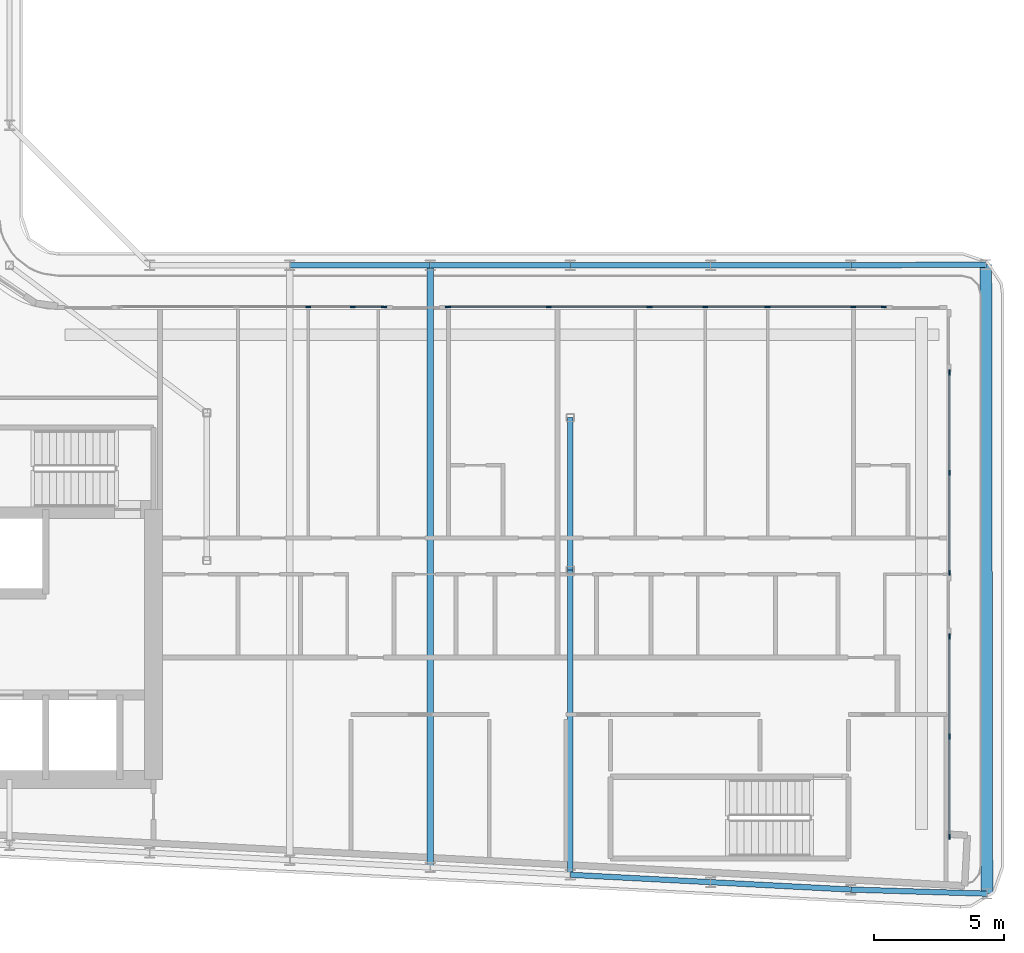
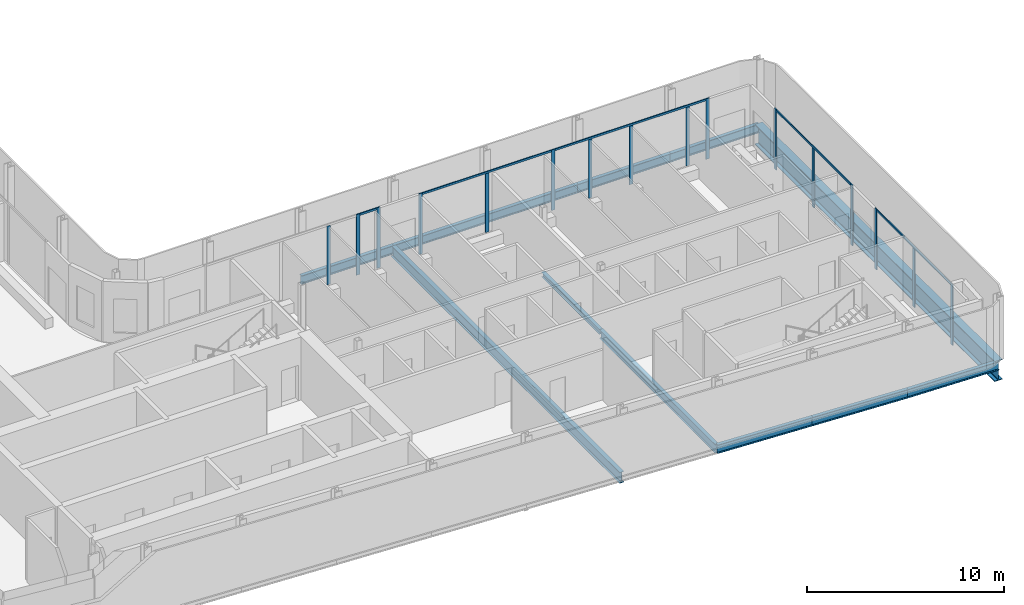
# One storey, part 5 of 23: 21 members, 12 beams, 6 elements without a shape of their own.
"""IFC4 building model written with IfcOpenShell, lengths in metres."""

from ifc_helpers import new_model, si_unit, direction, frame, origin, origin_2d, place, context, subcontext, project, spatial, rectangle, i_section, extrude, material, layer, layer_set, material_profile, profile_set, type_object, element, aggregate, save


model = new_model("IFC4")

# Units and contexts
model_context = context("Model", 3, precision=1e-05, world=origin(), true_north=direction((0.0, 1.0)))
body_context = subcontext(model_context, "Body", "Model", "MODEL_VIEW")
ifc_project = project(units=[si_unit("LENGTHUNIT", "METRE"), si_unit("AREAUNIT", "SQUARE_METRE"), si_unit("VOLUMEUNIT", "CUBIC_METRE"), si_unit("PLANEANGLEUNIT", "RADIAN"), si_unit("MASSUNIT", "GRAM", prefix="KILO")], contexts=[model_context])

# Site, building, storey
site_placement = place(None, origin())
site = spatial("IfcSite", under=ifc_project, at=site_placement, CompositionType="ELEMENT")
building_placement = place(site_placement, origin())
building = spatial("IfcBuilding", under=site, at=building_placement, Name="Kheshtan School and Residences Tower", CompositionType="ELEMENT")
storey_placement = place(building_placement, frame((0.0, 0.0, 243.5)))
storey = spatial("IfcBuildingStorey", under=building, at=storey_placement, Name="L57", CompositionType="ELEMENT", Elevation=243.5)

# Beams
ifc_material_1 = material(Name="Steel ASTM A992 Grade 50", Category="steel")
ifc_material_profile_1 = material_profile(ifc_material_1, i_section(OverallWidth=0.202880859375, OverallDepth=0.302978515625, WebThickness=0.007568359375, FlangeThickness=0.01318359375, FilletRadius=0.009033203125, at=origin_2d()), Name="W310x60")
ifc_profile_set_1 = profile_set([ifc_material_profile_1], Name="Steel ASTM A992 Grade 50")
beam_type_1 = type_object("IfcBeamType", Name="Beam FB1 W310x60 ASTM A992 Grade 50", PredefinedType="BEAM", material=ifc_profile_set_1)
beam_1_placement = place(storey_placement, frame((69.199951171875, 33.863037109375, -0.301513671875), z_axis=(0.0, 1.0, 0.0), x_axis=(-1.0, 0.0, 0.0)))
element("IfcBeam", 1, at=beam_1_placement, inside=storey, type_object=beam_type_1, Name="Floor beam IC", PredefinedType="BEAM", context=body_context, shape_type="SweptSolid", body=[
    extrude(i_section(OverallWidth=0.202880859375, OverallDepth=0.302978515625, WebThickness=0.007568359375, FlangeThickness=0.01318359375, FilletRadius=0.009033203125, at=origin_2d()), origin(), (0.0, 0.0, 1.0), 5.868896484375),
])
ifc_material_profile_2 = material_profile(ifc_material_1, i_section(OverallWidth=0.208984375, OverallDepth=0.532958984375, WebThickness=0.01025390625, FlangeThickness=0.015625, FilletRadius=0.013916015625, at=origin_2d()), Name="W530x92")
ifc_profile_set_2 = profile_set([ifc_material_profile_2], Name="Steel ASTM A992 Grade 50")
beam_type_2 = type_object("IfcBeamType", Name="Beam FB4 W530x92 ASTM A992 Grade 50", PredefinedType="BEAM", material=ifc_profile_set_2)
beam_2_placement = place(storey_placement, frame((69.199951171875, 22.126953125, -0.41650390625), z_axis=(0.0, 1.0, 0.0), x_axis=(-1.0, 0.0, 0.0)))
element("IfcBeam", 2, at=beam_2_placement, inside=storey, type_object=beam_type_2, Name="Floor beam C014", PredefinedType="BEAM", context=body_context, shape_type="SweptSolid", body=[
    extrude(i_section(OverallWidth=0.208984375, OverallDepth=0.532958984375, WebThickness=0.01025390625, FlangeThickness=0.015625, FilletRadius=0.013916015625, at=origin_2d()), origin(), (0.0, 0.0, 1.0), 11.736083984375),
])
ifc_material_profile_3 = material_profile(ifc_material_1, i_section(OverallWidth=0.2529296875, OverallDepth=0.677978515625, WebThickness=0.01171875, FlangeThickness=0.016357421875, FilletRadius=0.0146484375, at=origin_2d()), Name="W690x125")
ifc_profile_set_3 = profile_set([ifc_material_profile_3], Name="Steel ASTM A992 Grade 50")
beam_type_3 = type_object("IfcBeamType", Name="Beam FB6 W690x125 ASTM A992 Grade 50", PredefinedType="BEAM", material=ifc_profile_set_3)
beam_3_placement = place(storey_placement, frame((63.800048828125, 45.60009765625, -0.489013671875), z_axis=(0.0, -1.0, 0.0), x_axis=(1.0, 0.0, 0.0)))
element("IfcBeam", 3, at=beam_3_placement, inside=storey, type_object=beam_type_3, Name="Floor beam C063", PredefinedType="BEAM", context=body_context, shape_type="SweptSolid", body=[
    extrude(i_section(OverallWidth=0.2529296875, OverallDepth=0.677978515625, WebThickness=0.01171875, FlangeThickness=0.016357421875, FilletRadius=0.0146484375, at=origin_2d()), origin(), (0.0, 0.0, 1.0), 23.189208984375),
])
ifc_material_profile_4 = material_profile(ifc_material_1, i_section(OverallWidth=0.208984375, OverallDepth=0.532958984375, WebThickness=0.01025390625, FlangeThickness=0.015625, FilletRadius=0.013916015625, at=origin_2d()), Name="W530x92")
ifc_profile_set_4 = profile_set([ifc_material_profile_4], Name="Steel ASTM A992 Grade 50")
beam_type_4 = type_object("IfcBeamType", Name="Beam SP3 W530x92 ASTM A992 Grade 50", PredefinedType="BEAM", material=ifc_profile_set_4)
beam_4_placement = place(storey_placement, frame((58.39990234375, 45.60009765625, -0.41650390625), z_axis=(1.0, 0.0, 0.0), x_axis=(0.0, 1.0, 0.0)))
element("IfcBeam", 4, at=beam_4_placement, inside=storey, type_object=beam_type_4, Name="Spandrel beam C062-C063", PredefinedType="BEAM", context=body_context, shape_type="SweptSolid", body=[
    extrude(i_section(OverallWidth=0.208984375, OverallDepth=0.532958984375, WebThickness=0.01025390625, FlangeThickness=0.015625, FilletRadius=0.013916015625, at=origin_2d()), origin(), (0.0, 0.0, 1.0), 5.400146484375),
])
beam_5_placement = place(storey_placement, frame((63.800048828125, 45.60009765625, -0.41650390625), z_axis=(1.0, 0.0, 0.0), x_axis=(0.0, 1.0, 0.0)))
element("IfcBeam", 5, at=beam_5_placement, inside=storey, type_object=beam_type_4, Name="Spandrel beam C063-C064", PredefinedType="BEAM", context=body_context, shape_type="SweptSolid", body=[
    extrude(i_section(OverallWidth=0.208984375, OverallDepth=0.532958984375, WebThickness=0.01025390625, FlangeThickness=0.015625, FilletRadius=0.013916015625, at=origin_2d()), origin(), (0.0, 0.0, 1.0), 5.39990234375),
])
beam_6_placement = place(storey_placement, frame((69.199951171875, 45.60009765625, -0.41650390625), z_axis=(1.0, 0.0, 0.0), x_axis=(0.0, 1.0, 0.0)))
element("IfcBeam", 6, at=beam_6_placement, inside=storey, type_object=beam_type_4, Name="Spandrel beam C064-C065", PredefinedType="BEAM", context=body_context, shape_type="SweptSolid", body=[
    extrude(i_section(OverallWidth=0.208984375, OverallDepth=0.532958984375, WebThickness=0.01025390625, FlangeThickness=0.015625, FilletRadius=0.013916015625, at=origin_2d()), origin(), (0.0, 0.0, 1.0), 5.400146484375),
])
beam_7_placement = place(storey_placement, frame((74.60009765625, 45.60009765625, -0.41650390625), z_axis=(1.0, 0.0, 0.0), x_axis=(0.0, 1.0, 0.0)))
element("IfcBeam", 7, at=beam_7_placement, inside=storey, type_object=beam_type_4, Name="Spandrel beam C065-C066", PredefinedType="BEAM", context=body_context, shape_type="SweptSolid", body=[
    extrude(i_section(OverallWidth=0.208984375, OverallDepth=0.532958984375, WebThickness=0.01025390625, FlangeThickness=0.015625, FilletRadius=0.013916015625, at=origin_2d()), origin(), (0.0, 0.0, 1.0), 5.39990234375),
])
beam_8_placement = place(storey_placement, frame((80.0, 45.60009765625, -0.41650390625), z_axis=(0.999985687161, 0.005350277765, 0.0), x_axis=(-0.005350277765, 0.999985687161, 0.0)))
element("IfcBeam", 8, at=beam_8_placement, inside=storey, type_object=beam_type_4, Name="Spandrel beam C066-C076", PredefinedType="BEAM", context=body_context, shape_type="SweptSolid", body=[
    extrude(i_section(OverallWidth=0.208984375, OverallDepth=0.532958984375, WebThickness=0.01025390625, FlangeThickness=0.015625, FilletRadius=0.013916015625, at=origin_2d()), origin(), (0.0, 0.0, 1.0), 5.201904296875),
])
beam_9_placement = place(storey_placement, frame((85.243896484375, 21.39990234375, -0.41650390625), z_axis=(-0.999545226068, 0.030155282206, 0.0), x_axis=(-0.030155282206, -0.999545226068, 0.0)))
element("IfcBeam", 9, at=beam_9_placement, inside=storey, type_object=beam_type_4, Name="Spandrel beam C011-C012", PredefinedType="BEAM", context=body_context, shape_type="SweptSolid", body=[
    extrude(i_section(OverallWidth=0.208984375, OverallDepth=0.532958984375, WebThickness=0.01025390625, FlangeThickness=0.015625, FilletRadius=0.013916015625, at=origin_2d()), origin(), (0.0, 0.0, 1.0), 5.246337890625),
])
beam_10_placement = place(storey_placement, frame((80.0, 21.55810546875, -0.41650390625), z_axis=(-0.998610961136, 0.052689166816, 0.0), x_axis=(-0.052689166816, -0.998610961136, 0.0)))
element("IfcBeam", 10, at=beam_10_placement, inside=storey, type_object=beam_type_4, Name="Spandrel beam C012-C013", PredefinedType="BEAM", context=body_context, shape_type="SweptSolid", body=[
    extrude(i_section(OverallWidth=0.208984375, OverallDepth=0.532958984375, WebThickness=0.01025390625, FlangeThickness=0.015625, FilletRadius=0.013916015625, at=origin_2d()), origin(), (0.0, 0.0, 1.0), 5.407470703125),
])
beam_11_placement = place(storey_placement, frame((74.60009765625, 21.843017578125, -0.41650390625), z_axis=(-0.998620571751, 0.05250670125, 0.0), x_axis=(-0.05250670125, -0.998620571751, 0.0)))
element("IfcBeam", 11, at=beam_11_placement, inside=storey, type_object=beam_type_4, Name="Spandrel beam C013-C014", PredefinedType="BEAM", context=body_context, shape_type="SweptSolid", body=[
    extrude(i_section(OverallWidth=0.208984375, OverallDepth=0.532958984375, WebThickness=0.01025390625, FlangeThickness=0.015625, FilletRadius=0.013916015625, at=origin_2d()), origin(), (0.0, 0.0, 1.0), 5.40771484375),
])

# Curtain wall, members
ifc_material_2 = material(Name="Clear low-e glass in thermally broken aluminium frame", Category="aluminium")
ifc_layer = layer(ifc_material_2, 0.199951171875)
ifc_layer_set = layer_set([ifc_layer], Name="Curtain wall CW-L")
curtain_wall_type = type_object("IfcCurtainWallType", Name="Curtain wall CW-L", PredefinedType="NOTDEFINED", material=ifc_layer_set)
curtain_wall_1_placement = place(storey_placement, origin())
curtain_wall_1 = element("IfcCurtainWall", 12, at=curtain_wall_1_placement, inside=storey, type_object=curtain_wall_type, Name="Curtain wall CWL1228", PredefinedType="NOTDEFINED")
ifc_material_3 = material(Name="Thermally broken aluminium, dark bronze anodised", Category="aluminium")
ifc_material_profile_5 = material_profile(ifc_material_3, rectangle(XDim=0.06005859375, YDim=0.199951171875, at=origin_2d()), Name="CW-L mullion 60x200")
ifc_profile_set_5 = profile_set([ifc_material_profile_5], Name="Thermally broken aluminium, dark bronze anodised")
member_type_1 = type_object("IfcMemberType", Name="CW-L mullion 60x200", PredefinedType="MULLION", material=ifc_profile_set_5)
member_1_placement = place(storey_placement, frame((59.10009765625, 44.0, 0.0), z_axis=(0.0, 0.0, 1.0), x_axis=(0.0, 1.0, 0.0)))
member_1 = element("IfcMember", 13, at=member_1_placement, type_object=member_type_1, Name="CWL1228 mullion 3", PredefinedType="MULLION", context=body_context, shape_type="SweptSolid", body=[
    extrude(rectangle(XDim=0.06005859375, YDim=0.199951171875, at=origin_2d()), origin(), (0.0, 0.0, 1.0), 3.6298828125),
])
member_2_placement = place(storey_placement, frame((60.8232421875, 44.0, 0.0), z_axis=(0.0, 0.0, 1.0), x_axis=(0.0, 1.0, 0.0)))
member_2 = element("IfcMember", 14, at=member_2_placement, type_object=member_type_1, Name="CWL1228 mullion 4", PredefinedType="MULLION", context=body_context, shape_type="SweptSolid", body=[
    extrude(rectangle(XDim=0.06005859375, YDim=0.199951171875, at=origin_2d()), origin(), (0.0, 0.0, 1.0), 3.75),
])
aggregate(curtain_wall_1, [member_1, member_2])

# Curtain wall, member
curtain_wall_2_placement = place(storey_placement, origin())
curtain_wall_2 = element("IfcCurtainWall", 15, at=curtain_wall_2_placement, inside=storey, type_object=curtain_wall_type, Name="Curtain wall CWL12b", PredefinedType="NOTDEFINED")
member_3_placement = place(storey_placement, frame((62.0234375, 44.0, 0.0), z_axis=(0.0, 0.0, 1.0), x_axis=(0.0, 1.0, 0.0)))
member_3 = element("IfcMember", 16, at=member_3_placement, type_object=member_type_1, Name="CWL12b mullion 2", PredefinedType="MULLION", context=body_context, shape_type="SweptSolid", body=[
    extrude(rectangle(XDim=0.06005859375, YDim=0.199951171875, at=origin_2d()), origin(), (0.0, 0.0, 1.0), 3.75),
])

# Curtain wall, members
curtain_wall_3_placement = place(storey_placement, origin())
curtain_wall_3 = element("IfcCurtainWall", 17, at=curtain_wall_3_placement, inside=storey, type_object=curtain_wall_type, Name="Curtain wall CWL1229", PredefinedType="NOTDEFINED")
member_4_placement = place(storey_placement, frame((64.4833984375, 44.0, 0.0), z_axis=(0.0, 0.0, 1.0), x_axis=(0.0, 1.0, 0.0)))
member_4 = element("IfcMember", 18, at=member_4_placement, type_object=member_type_1, Name="CWL1229 mullion 1", PredefinedType="MULLION", context=body_context, shape_type="SweptSolid", body=[
    extrude(rectangle(XDim=0.06005859375, YDim=0.199951171875, at=origin_2d()), origin(), (0.0, 0.0, 1.0), 3.75),
])
member_5_placement = place(storey_placement, frame((68.364990234375, 44.0, 0.0), z_axis=(0.0, 0.0, 1.0), x_axis=(0.0, 1.0, 0.0)))
member_5 = element("IfcMember", 19, at=member_5_placement, type_object=member_type_1, Name="CWL1229 mullion 2", PredefinedType="MULLION", context=body_context, shape_type="SweptSolid", body=[
    extrude(rectangle(XDim=0.06005859375, YDim=0.199951171875, at=origin_2d()), origin(), (0.0, 0.0, 1.0), 3.6298828125),
])
member_6_placement = place(storey_placement, frame((72.24658203125, 44.0, 0.0), z_axis=(0.0, 0.0, 1.0), x_axis=(0.0, 1.0, 0.0)))
member_6 = element("IfcMember", 20, at=member_6_placement, type_object=member_type_1, Name="CWL1229 mullion 3", PredefinedType="MULLION", context=body_context, shape_type="SweptSolid", body=[
    extrude(rectangle(XDim=0.06005859375, YDim=0.199951171875, at=origin_2d()), origin(), (0.0, 0.0, 1.0), 3.75),
])

curtain_wall_4_placement = place(storey_placement, origin())
curtain_wall_4 = element("IfcCurtainWall", 21, at=curtain_wall_4_placement, inside=storey, type_object=curtain_wall_type, Name="Curtain wall CWL1230", PredefinedType="NOTDEFINED")
member_7_placement = place(storey_placement, frame((74.39990234375, 44.0, 0.0), z_axis=(0.0, 0.0, 1.0), x_axis=(0.0, 1.0, 0.0)))
member_7 = element("IfcMember", 22, at=member_7_placement, type_object=member_type_1, Name="CWL1230 mullion 2", PredefinedType="MULLION", context=body_context, shape_type="SweptSolid", body=[
    extrude(rectangle(XDim=0.06005859375, YDim=0.199951171875, at=origin_2d()), origin(), (0.0, 0.0, 1.0), 3.6298828125),
])
member_8_placement = place(storey_placement, frame((76.788330078125, 44.0, 0.0), z_axis=(0.0, 0.0, 1.0), x_axis=(0.0, 1.0, 0.0)))
member_8 = element("IfcMember", 23, at=member_8_placement, type_object=member_type_1, Name="CWL1230 mullion 3", PredefinedType="MULLION", context=body_context, shape_type="SweptSolid", body=[
    extrude(rectangle(XDim=0.06005859375, YDim=0.199951171875, at=origin_2d()), origin(), (0.0, 0.0, 1.0), 3.6298828125),
])
member_9_placement = place(storey_placement, frame((80.099853515625, 44.0, 0.0), z_axis=(0.0, 0.0, 1.0), x_axis=(0.0, 1.0, 0.0)))
member_9 = element("IfcMember", 24, at=member_9_placement, type_object=member_type_1, Name="CWL1230 mullion 4", PredefinedType="MULLION", context=body_context, shape_type="SweptSolid", body=[
    extrude(rectangle(XDim=0.06005859375, YDim=0.199951171875, at=origin_2d()), origin(), (0.0, 0.0, 1.0), 3.6298828125),
])
member_10_placement = place(storey_placement, frame((81.27001953125, 44.0, 0.0), z_axis=(0.0, 0.0, 1.0), x_axis=(0.0, 1.0, 0.0)))
member_10 = element("IfcMember", 25, at=member_10_placement, type_object=member_type_1, Name="CWL1230 mullion 5", PredefinedType="MULLION", context=body_context, shape_type="SweptSolid", body=[
    extrude(rectangle(XDim=0.06005859375, YDim=0.199951171875, at=origin_2d()), origin(), (0.0, 0.0, 1.0), 3.75),
])

curtain_wall_5_placement = place(storey_placement, origin())
curtain_wall_5 = element("IfcCurtainWall", 26, at=curtain_wall_5_placement, inside=storey, type_object=curtain_wall_type, Name="Curtain wall CWL13c", PredefinedType="NOTDEFINED")
member_11_placement = place(storey_placement, frame((83.800048828125, 41.469970703125, 0.0), z_axis=(0.0, 0.0, 1.0), x_axis=(1.0, 0.0, 0.0)))
member_11 = element("IfcMember", 27, at=member_11_placement, type_object=member_type_1, Name="CWL13c mullion 1", PredefinedType="MULLION", context=body_context, shape_type="SweptSolid", body=[
    extrude(rectangle(XDim=0.06005859375, YDim=0.199951171875, at=origin_2d()), origin(), (0.0, 0.0, 1.0), 3.75),
])
member_12_placement = place(storey_placement, frame((83.800048828125, 37.61669921875, 0.0), z_axis=(0.0, 0.0, 1.0), x_axis=(1.0, 0.0, 0.0)))
member_12 = element("IfcMember", 28, at=member_12_placement, type_object=member_type_1, Name="CWL13c mullion 2", PredefinedType="MULLION", context=body_context, shape_type="SweptSolid", body=[
    extrude(rectangle(XDim=0.06005859375, YDim=0.199951171875, at=origin_2d()), origin(), (0.0, 0.0, 1.0), 3.6298828125),
])
member_13_placement = place(storey_placement, frame((83.800048828125, 33.763427734375, 0.0), z_axis=(0.0, 0.0, 1.0), x_axis=(1.0, 0.0, 0.0)))
member_13 = element("IfcMember", 29, at=member_13_placement, type_object=member_type_1, Name="CWL13c mullion 3", PredefinedType="MULLION", context=body_context, shape_type="SweptSolid", body=[
    extrude(rectangle(XDim=0.06005859375, YDim=0.199951171875, at=origin_2d()), origin(), (0.0, 0.0, 1.0), 3.75),
])

curtain_wall_6_placement = place(storey_placement, origin())
curtain_wall_6 = element("IfcCurtainWall", 30, at=curtain_wall_6_placement, inside=storey, type_object=curtain_wall_type, Name="Curtain wall CWL13c", PredefinedType="NOTDEFINED")
member_14_placement = place(storey_placement, frame((83.800048828125, 31.303466796875, 0.0), z_axis=(0.0, 0.0, 1.0), x_axis=(1.0, 0.0, 0.0)))
member_14 = element("IfcMember", 31, at=member_14_placement, type_object=member_type_1, Name="CWL13c mullion 1", PredefinedType="MULLION", context=body_context, shape_type="SweptSolid", body=[
    extrude(rectangle(XDim=0.06005859375, YDim=0.199951171875, at=origin_2d()), origin(), (0.0, 0.0, 1.0), 3.75),
])
member_15_placement = place(storey_placement, frame((83.800048828125, 27.4501953125, 0.0), z_axis=(0.0, 0.0, 1.0), x_axis=(1.0, 0.0, 0.0)))
member_15 = element("IfcMember", 32, at=member_15_placement, type_object=member_type_1, Name="CWL13c mullion 2", PredefinedType="MULLION", context=body_context, shape_type="SweptSolid", body=[
    extrude(rectangle(XDim=0.06005859375, YDim=0.199951171875, at=origin_2d()), origin(), (0.0, 0.0, 1.0), 3.6298828125),
])
member_16_placement = place(storey_placement, frame((83.800048828125, 23.596923828125, 0.0), z_axis=(0.0, 0.0, 1.0), x_axis=(1.0, 0.0, 0.0)))
member_16 = element("IfcMember", 33, at=member_16_placement, type_object=member_type_1, Name="CWL13c mullion 3", PredefinedType="MULLION", context=body_context, shape_type="SweptSolid", body=[
    extrude(rectangle(XDim=0.06005859375, YDim=0.199951171875, at=origin_2d()), origin(), (0.0, 0.0, 1.0), 3.75),
])

# Member
ifc_material_profile_6 = material_profile(ifc_material_3, rectangle(XDim=0.06005859375, YDim=0.1201171875, at=origin_2d()), Name="CW-L transom 60x120")
ifc_profile_set_6 = profile_set([ifc_material_profile_6], Name="Thermally broken aluminium, dark bronze anodised")
member_type_2 = type_object("IfcMemberType", Name="CW-L transom 60x120", PredefinedType="USERDEFINED", material=ifc_profile_set_6)
member_17_placement = place(storey_placement, frame((60.853271484375, 44.0, 3.68994140625), z_axis=(1.0, 0.0, 0.0), x_axis=(0.0, 1.0, 0.0)))
member_17 = element("IfcMember", 34, at=member_17_placement, type_object=member_type_2, Name="CWL12b transom 1", ObjectType="TRANSOM", PredefinedType="USERDEFINED", context=body_context, shape_type="SweptSolid", body=[
    extrude(rectangle(XDim=0.06005859375, YDim=0.1201171875, at=origin_2d()), origin(), (0.0, 0.0, 1.0), 1.14013671875),
])

aggregate(curtain_wall_2, [member_3, member_17])

member_18_placement = place(storey_placement, frame((64.513427734375, 44.0, 3.68994140625), z_axis=(1.0, 0.0, 0.0), x_axis=(0.0, 1.0, 0.0)))
member_18 = element("IfcMember", 35, at=member_18_placement, type_object=member_type_2, Name="CWL1229 transom 1", ObjectType="TRANSOM", PredefinedType="USERDEFINED", context=body_context, shape_type="SweptSolid", body=[
    extrude(rectangle(XDim=0.06005859375, YDim=0.1201171875, at=origin_2d()), origin(), (0.0, 0.0, 1.0), 7.703125),
])

aggregate(curtain_wall_3, [member_4, member_5, member_6, member_18])

member_19_placement = place(storey_placement, frame((72.276611328125, 44.0, 3.68994140625), z_axis=(1.0, 0.0, 0.0), x_axis=(0.0, 1.0, 0.0)))
member_19 = element("IfcMember", 36, at=member_19_placement, type_object=member_type_2, Name="CWL1230 transom 1", ObjectType="TRANSOM", PredefinedType="USERDEFINED", context=body_context, shape_type="SweptSolid", body=[
    extrude(rectangle(XDim=0.06005859375, YDim=0.1201171875, at=origin_2d()), origin(), (0.0, 0.0, 1.0), 8.96337890625),
])

aggregate(curtain_wall_4, [member_7, member_8, member_9, member_10, member_19])

member_20_placement = place(storey_placement, frame((83.800048828125, 41.43994140625, 3.68994140625), z_axis=(0.0, -1.0, 0.0), x_axis=(1.0, 0.0, 0.0)))
member_20 = element("IfcMember", 37, at=member_20_placement, type_object=member_type_2, Name="CWL13c transom 1", ObjectType="TRANSOM", PredefinedType="USERDEFINED", context=body_context, shape_type="SweptSolid", body=[
    extrude(rectangle(XDim=0.06005859375, YDim=0.1201171875, at=origin_2d()), origin(), (0.0, 0.0, 1.0), 7.646484375),
])

aggregate(curtain_wall_5, [member_11, member_12, member_13, member_20])

member_21_placement = place(storey_placement, frame((83.800048828125, 31.2734375, 3.68994140625), z_axis=(0.0, -1.0, 0.0), x_axis=(1.0, 0.0, 0.0)))
member_21 = element("IfcMember", 38, at=member_21_placement, type_object=member_type_2, Name="CWL13c transom 1", ObjectType="TRANSOM", PredefinedType="USERDEFINED", context=body_context, shape_type="SweptSolid", body=[
    extrude(rectangle(XDim=0.06005859375, YDim=0.1201171875, at=origin_2d()), origin(), (0.0, 0.0, 1.0), 7.646484375),
])

aggregate(curtain_wall_6, [member_14, member_15, member_16, member_21])

# Beam
ifc_material_profile_7 = material_profile(ifc_material_1, i_section(OverallWidth=0.449951171875, OverallDepth=1.25, WebThickness=0.02490234375, FlangeThickness=0.044921875, FilletRadius=0.03759765625, at=origin_2d()), Name="WWF1250x546")
ifc_profile_set_7 = profile_set([ifc_material_profile_7], Name="Steel ASTM A992 Grade 50")
beam_type_5 = type_object("IfcBeamType", Name="Transfer girder TG4 WWF1250x546 ASTM A992 Grade 50", PredefinedType="BEAM", material=ifc_profile_set_7)
beam_12_placement = place(storey_placement, frame((85.201904296875, 45.6279296875, -0.77490234375), z_axis=(0.001733204434, -0.999998498, 0.0), x_axis=(0.999998498, 0.001733204434, 0.0)))
element("IfcBeam", 39, at=beam_12_placement, inside=storey, type_object=beam_type_5, Name="Transfer girder C076-C011", PredefinedType="BEAM", context=body_context, shape_type="SweptSolid", body=[
    extrude(i_section(OverallWidth=0.449951171875, OverallDepth=1.25, WebThickness=0.02490234375, FlangeThickness=0.044921875, FilletRadius=0.03759765625, at=origin_2d()), origin(), (0.0, 0.0, 1.0), 24.22802734375),
])

save(model, "model.ifc")
